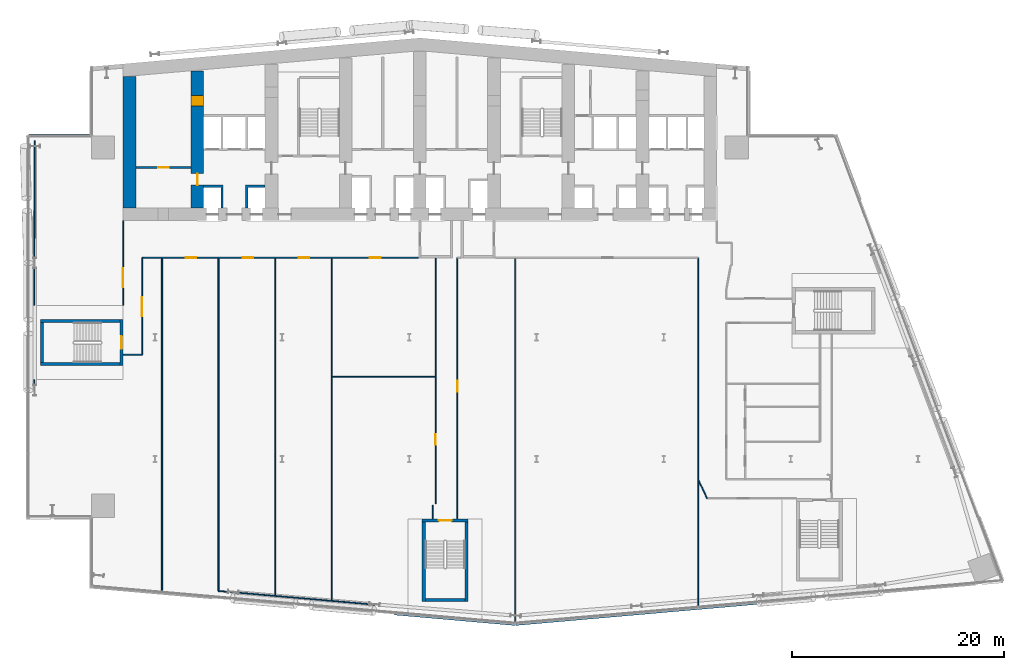
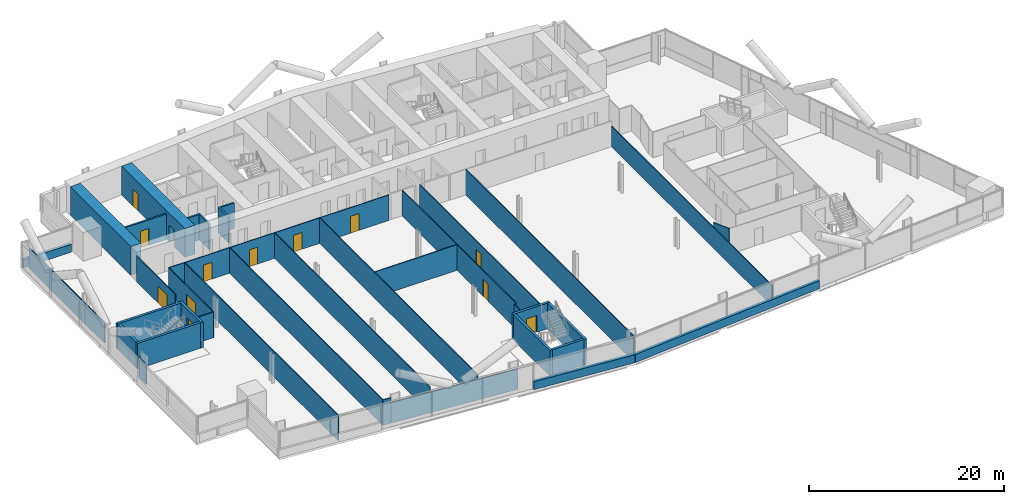
# One storey, part 13 of 25: 36 walls, 13 doors, 13 openings.
"""IFC4 building model written with IfcOpenShell, lengths in metres."""

from ifc_helpers import new_model, si_unit, direction, frame, frame_2d, origin, place, context, subcontext, project, spatial, polyline, rectangle, outline, extrude, material, layer, layer_set, type_object, element, fill, save


model = new_model("IFC4")

# Units and contexts
model_context = context("Model", 3, precision=1e-05, world=origin(), true_north=direction((0.0, 1.0)))
body_context = subcontext(model_context, "Body", "Model", "MODEL_VIEW")
ifc_project = project(units=[si_unit("LENGTHUNIT", "METRE"), si_unit("AREAUNIT", "SQUARE_METRE"), si_unit("VOLUMEUNIT", "CUBIC_METRE"), si_unit("PLANEANGLEUNIT", "RADIAN"), si_unit("MASSUNIT", "GRAM", prefix="KILO")], contexts=[model_context])

# Site, building, storey
site_placement = place(None, origin())
site = spatial("IfcSite", under=ifc_project, at=site_placement, CompositionType="ELEMENT")
building_placement = place(site_placement, origin())
building = spatial("IfcBuilding", under=site, at=building_placement, Name="Wharfspan Tower", CompositionType="ELEMENT")
storey_placement = place(building_placement, frame((0.0, 0.0, 70.300049)))
storey = spatial("IfcBuildingStorey", under=building, at=storey_placement, Name="L14", CompositionType="ELEMENT", Elevation=70.300049)

# Wall, opening, door
ifc_material_1 = material(Name="Gypsum board on steel studs", Category="steel")
ifc_layer_1 = layer(ifc_material_1, 0.100098)
ifc_layer_set_1 = layer_set([ifc_layer_1], Name="Gypsum board on steel studs")
wall_type_1 = type_object("IfcWallType", Name="Compartment wall 100 EI 60", PredefinedType="PARTITIONING", material=ifc_layer_set_1)
wall_1_placement = place(storey_placement, frame((9.0, 26.02002, 0.0), z_axis=(0.0, 0.0, 1.0), x_axis=(0.0, 1.0, 0.0)))
wall_1 = element("IfcWall", 1, at=wall_1_placement, inside=storey, type_object=wall_type_1, Name="Partition L14.w004", PredefinedType="PARTITIONING", context=body_context, shape_type="SweptSolid", body=[
    extrude(rectangle(XDim=7.959961, YDim=0.100098, at=frame_2d((3.97998, 0.0))), origin(), (0.0, 0.0, 1.0), 3.199951),
])
opening_1_placement = place(wall_1_placement, frame((1.699951, 0.0, 0.0)))
opening_1 = element("IfcOpeningElement", 2, at=opening_1_placement, cuts=wall_1, Name="Opening A3-12", PredefinedType="OPENING", context=body_context, shape_type="SweptSolid", body=[
    extrude(rectangle(XDim=1.800049, YDim=2.100098, at=frame_2d((0.899902, 1.050049))), frame((0.0, 0.060059, 0.0), z_axis=(0.0, -1.0, 0.0), x_axis=(1.0, 0.0, 0.0)), (0.0, 0.0, 1.0), 0.120117),
])
ifc_material_2 = material(Name="Fire-rated timber door leaf in steel frame", Category="steel")
door_type_1 = type_object("IfcDoorType", Name="Door 1800 FD30S Double", OperationType="DOUBLE_DOOR_SINGLE_SWING", PredefinedType="DOOR", material=ifc_material_2)
door_1_placement = place(opening_1_placement, origin())
door_1 = element("IfcDoor", 3, at=door_1_placement, inside=storey, type_object=door_type_1, Name="Door A3-12", OperationType="DOUBLE_DOOR_SINGLE_SWING", OverallHeight=2.100098, OverallWidth=1.800049, PredefinedType="DOOR", context=body_context, shape_type="SweptSolid", body=[
    extrude(rectangle(XDim=1.800049, YDim=2.100098, at=frame_2d((0.899902, 1.050049))), frame((0.0, 0.024902, 0.0), z_axis=(0.0, -1.0, 0.0), x_axis=(1.0, 0.0, 0.0)), (0.0, 0.0, 1.0), 0.050049),
])
fill(opening_1, door_1)

# Wall
wall_2_placement = place(storey_placement, frame((9.02002, 21.350098, 0.0), z_axis=(0.0, 0.0, 1.0), x_axis=(1.0, 0.0, 0.0)))
element("IfcWall", 4, at=wall_2_placement, inside=storey, type_object=wall_type_1, Name="Partition L14.w005", PredefinedType="PARTITIONING", context=body_context, shape_type="SweptSolid", body=[
    extrude(rectangle(XDim=1.780029, YDim=0.100098, at=frame_2d((0.890137, 0.0))), origin(), (0.0, 0.0, 1.0), 3.199951),
])

# Wall, opening, door
wall_3_placement = place(storey_placement, frame((10.800049, 21.350098, 0.0), z_axis=(0.0, 0.0, 1.0), x_axis=(0.0, 1.0, 0.0)))
wall_3 = element("IfcWall", 5, at=wall_3_placement, inside=storey, type_object=wall_type_1, Name="Partition L14.w006", PredefinedType="PARTITIONING", context=body_context, shape_type="SweptSolid", body=[
    extrude(rectangle(XDim=9.149902, YDim=0.100098, at=frame_2d((4.574951, 0.0))), origin(), (0.0, 0.0, 1.0), 3.199951),
])
opening_2_placement = place(wall_3_placement, frame((3.620117, 0.0, 0.0)))
opening_2 = element("IfcOpeningElement", 6, at=opening_2_placement, cuts=wall_3, Name="Opening A3-10", PredefinedType="OPENING", context=body_context, shape_type="SweptSolid", body=[
    extrude(rectangle(XDim=1.800049, YDim=2.100098, at=frame_2d((0.899902, 1.050049))), frame((0.0, 0.060059, 0.0), z_axis=(0.0, -1.0, 0.0), x_axis=(1.0, 0.0, 0.0)), (0.0, 0.0, 1.0), 0.120117),
])
door_2_placement = place(opening_2_placement, origin())
door_2 = element("IfcDoor", 7, at=door_2_placement, inside=storey, type_object=door_type_1, Name="Door A3-10", OperationType="DOUBLE_DOOR_SINGLE_SWING", OverallHeight=2.100098, OverallWidth=1.800049, PredefinedType="DOOR", context=body_context, shape_type="SweptSolid", body=[
    extrude(rectangle(XDim=1.800049, YDim=2.100098, at=frame_2d((0.899902, 1.050049))), frame((0.0, 0.024902, 0.0), z_axis=(0.0, -1.0, 0.0), x_axis=(1.0, 0.0, 0.0)), (0.0, 0.0, 1.0), 0.050049),
])
fill(opening_2, door_2)

# Wall, openings, doors
wall_4_placement = place(storey_placement, frame((10.800049, 30.5, 0.0), z_axis=(0.0, 0.0, 1.0), x_axis=(1.0, 0.0, 0.0)))
wall_4 = element("IfcWall", 8, at=wall_4_placement, inside=storey, type_object=wall_type_1, Name="Partition L14.w007", PredefinedType="PARTITIONING", context=body_context, shape_type="SweptSolid", body=[
    extrude(rectangle(XDim=26.050049, YDim=0.100098, at=frame_2d((13.024902, 0.0))), origin(), (0.0, 0.0, 1.0), 3.199951),
])
opening_3_placement = place(wall_4_placement, frame((4.090088, 0.0, 0.0)))
opening_3 = element("IfcOpeningElement", 9, at=opening_3_placement, cuts=wall_4, Name="Opening A3-13", PredefinedType="OPENING", context=body_context, shape_type="SweptSolid", body=[
    extrude(rectangle(XDim=1.0, YDim=2.100098, at=frame_2d((0.5, 1.050049))), frame((0.0, 0.060059, 0.0), z_axis=(0.0, -1.0, 0.0), x_axis=(1.0, 0.0, 0.0)), (0.0, 0.0, 1.0), 0.120117),
])
opening_4_placement = place(wall_4_placement, frame((9.5, 0.0, 0.0)))
opening_4 = element("IfcOpeningElement", 10, at=opening_4_placement, cuts=wall_4, Name="Opening A3-14", PredefinedType="OPENING", context=body_context, shape_type="SweptSolid", body=[
    extrude(rectangle(XDim=1.0, YDim=2.100098, at=frame_2d((0.5, 1.050049))), frame((0.0, 0.060059, 0.0), z_axis=(0.0, -1.0, 0.0), x_axis=(1.0, 0.0, 0.0)), (0.0, 0.0, 1.0), 0.120117),
])
opening_5_placement = place(wall_4_placement, frame((14.754883, 0.0, 0.0)))
opening_5 = element("IfcOpeningElement", 11, at=opening_5_placement, cuts=wall_4, Name="Opening A3-15", PredefinedType="OPENING", context=body_context, shape_type="SweptSolid", body=[
    extrude(rectangle(XDim=1.0, YDim=2.100098, at=frame_2d((0.5, 1.050049))), frame((0.0, 0.060059, 0.0), z_axis=(0.0, -1.0, 0.0), x_axis=(1.0, 0.0, 0.0)), (0.0, 0.0, 1.0), 0.120117),
])
opening_6_placement = place(wall_4_placement, frame((21.48999, 0.0, 0.0)))
opening_6 = element("IfcOpeningElement", 12, at=opening_6_placement, cuts=wall_4, Name="Opening A3-16", PredefinedType="OPENING", context=body_context, shape_type="SweptSolid", body=[
    extrude(rectangle(XDim=1.0, YDim=2.100098, at=frame_2d((0.5, 1.050049))), frame((0.0, 0.060059, 0.0), z_axis=(0.0, -1.0, 0.0), x_axis=(1.0, 0.0, 0.0)), (0.0, 0.0, 1.0), 0.120117),
])
door_type_2 = type_object("IfcDoorType", Name="Door 1000 FD30S Left", OperationType="SINGLE_SWING_LEFT", PredefinedType="DOOR", material=ifc_material_2)
door_3_placement = place(opening_3_placement, origin())
door_3 = element("IfcDoor", 13, at=door_3_placement, inside=storey, type_object=door_type_2, Name="Door A3-13", OperationType="SINGLE_SWING_LEFT", OverallHeight=2.100098, OverallWidth=1.0, PredefinedType="DOOR", context=body_context, shape_type="SweptSolid", body=[
    extrude(rectangle(XDim=1.0, YDim=2.100098, at=frame_2d((0.5, 1.050049))), frame((0.0, 0.024902, 0.0), z_axis=(0.0, -1.0, 0.0), x_axis=(1.0, 0.0, 0.0)), (0.0, 0.0, 1.0), 0.050049),
])
fill(opening_3, door_3)
door_4_placement = place(opening_4_placement, origin())
door_4 = element("IfcDoor", 14, at=door_4_placement, inside=storey, type_object=door_type_2, Name="Door A3-14", OperationType="SINGLE_SWING_LEFT", OverallHeight=2.100098, OverallWidth=1.0, PredefinedType="DOOR", context=body_context, shape_type="SweptSolid", body=[
    extrude(rectangle(XDim=1.0, YDim=2.100098, at=frame_2d((0.5, 1.050049))), frame((0.0, 0.024902, 0.0), z_axis=(0.0, -1.0, 0.0), x_axis=(1.0, 0.0, 0.0)), (0.0, 0.0, 1.0), 0.050049),
])
fill(opening_4, door_4)
door_type_3 = type_object("IfcDoorType", Name="Door 1000 FD30S Right", OperationType="SINGLE_SWING_RIGHT", PredefinedType="DOOR", material=ifc_material_2)
door_5_placement = place(opening_5_placement, origin())
door_5 = element("IfcDoor", 15, at=door_5_placement, inside=storey, type_object=door_type_3, Name="Door A3-15", OperationType="SINGLE_SWING_RIGHT", OverallHeight=2.100098, OverallWidth=1.0, PredefinedType="DOOR", context=body_context, shape_type="SweptSolid", body=[
    extrude(rectangle(XDim=1.0, YDim=2.100098, at=frame_2d((0.5, 1.050049))), frame((0.0, 0.024902, 0.0), z_axis=(0.0, -1.0, 0.0), x_axis=(1.0, 0.0, 0.0)), (0.0, 0.0, 1.0), 0.050049),
])
fill(opening_5, door_5)
door_6_placement = place(opening_6_placement, origin())
door_6 = element("IfcDoor", 16, at=door_6_placement, inside=storey, type_object=door_type_3, Name="Door A3-16", OperationType="SINGLE_SWING_RIGHT", OverallHeight=2.100098, OverallWidth=1.0, PredefinedType="DOOR", context=body_context, shape_type="SweptSolid", body=[
    extrude(rectangle(XDim=1.0, YDim=2.100098, at=frame_2d((0.5, 1.050049))), frame((0.0, 0.024902, 0.0), z_axis=(0.0, -1.0, 0.0), x_axis=(1.0, 0.0, 0.0)), (0.0, 0.0, 1.0), 0.050049),
])
fill(opening_6, door_6)

# Walls
wall_5_placement = place(storey_placement, frame((12.669922, -1.088379, 0.0), z_axis=(0.0, 0.0, 1.0), x_axis=(0.0, 1.0, 0.0)))
element("IfcWall", 17, at=wall_5_placement, inside=storey, type_object=wall_type_1, Name="Partition L14.w008", PredefinedType="PARTITIONING", context=body_context, shape_type="SweptSolid", body=[
    extrude(rectangle(XDim=31.588379, YDim=0.100098, at=frame_2d((15.794189, 0.0))), origin(), (0.0, 0.0, 1.0), 3.199951),
])
wall_6_placement = place(storey_placement, frame((18.0, -0.939941, 0.0), z_axis=(0.0, 0.0, 1.0), x_axis=(0.0, 1.0, 0.0)))
element("IfcWall", 18, at=wall_6_placement, inside=storey, type_object=wall_type_1, Name="Partition L14.w009", PredefinedType="PARTITIONING", context=body_context, shape_type="SweptSolid", body=[
    extrude(rectangle(XDim=31.439941, YDim=0.100098, at=frame_2d((15.719971, 0.0))), origin(), (0.0, 0.0, 1.0), 3.199951),
])
wall_7_placement = place(storey_placement, frame((23.334961, -1.409912, 0.0), z_axis=(0.0, 0.0, 1.0), x_axis=(0.0, 1.0, 0.0)))
element("IfcWall", 19, at=wall_7_placement, inside=storey, type_object=wall_type_1, Name="Partition L14.w011", PredefinedType="PARTITIONING", context=body_context, shape_type="SweptSolid", body=[
    extrude(rectangle(XDim=31.909912, YDim=0.100098, at=frame_2d((15.955078, 0.0))), origin(), (0.0, 0.0, 1.0), 3.199951),
])
wall_8_placement = place(storey_placement, frame((28.669922, -1.875, 0.0), z_axis=(0.0, 0.0, 1.0), x_axis=(0.0, 1.0, 0.0)))
element("IfcWall", 20, at=wall_8_placement, inside=storey, type_object=wall_type_1, Name="Partition L14.w012", PredefinedType="PARTITIONING", context=body_context, shape_type="SweptSolid", body=[
    extrude(rectangle(XDim=32.375, YDim=0.100098, at=frame_2d((16.1875, 0.0))), origin(), (0.0, 0.0, 1.0), 3.199951),
])
wall_9_placement = place(storey_placement, frame((28.669922, 19.284912, 0.0), z_axis=(0.0, 0.0, 1.0), x_axis=(1.0, 0.0, 0.0)))
element("IfcWall", 21, at=wall_9_placement, inside=storey, type_object=wall_type_1, Name="Partition L14.w013", PredefinedType="PARTITIONING", context=body_context, shape_type="SweptSolid", body=[
    extrude(rectangle(XDim=9.810059, YDim=0.100098, at=frame_2d((4.905029, 0.0))), origin(), (0.0, 0.0, 1.0), 3.199951),
])
wall_10_placement = place(storey_placement, frame((38.22998, 5.880615, 0.0), z_axis=(0.0, 0.0, 1.0), x_axis=(0.0, 1.0, 0.0)))
element("IfcWall", 22, at=wall_10_placement, inside=storey, type_object=wall_type_1, Name="Partition L14.w015", PredefinedType="PARTITIONING", context=body_context, shape_type="SweptSolid", body=[
    extrude(rectangle(XDim=1.279297, YDim=0.100098, at=frame_2d((0.639648, 0.0))), origin(), (0.0, 0.0, 1.0), 3.199951),
])

# Wall, opening, door
wall_11_placement = place(storey_placement, frame((38.47998, 7.280029, 0.0), z_axis=(0.0, 0.0, 1.0), x_axis=(0.0, 1.0, 0.0)))
wall_11 = element("IfcWall", 23, at=wall_11_placement, inside=storey, type_object=wall_type_1, Name="Partition L14.w016", PredefinedType="PARTITIONING", context=body_context, shape_type="SweptSolid", body=[
    extrude(rectangle(XDim=23.219971, YDim=0.100098, at=frame_2d((11.609863, 0.0))), origin(), (0.0, 0.0, 1.0), 3.199951),
])
opening_7_placement = place(wall_11_placement, frame((5.580078, 0.0, 0.0)))
opening_7 = element("IfcOpeningElement", 24, at=opening_7_placement, cuts=wall_11, Name="Opening A3-05", PredefinedType="OPENING", context=body_context, shape_type="SweptSolid", body=[
    extrude(rectangle(XDim=1.0, YDim=2.100098, at=frame_2d((0.5, 1.050049))), frame((0.0, 0.060059, 0.0), z_axis=(0.0, -1.0, 0.0), x_axis=(1.0, 0.0, 0.0)), (0.0, 0.0, 1.0), 0.120117),
])
door_7_placement = place(opening_7_placement, origin())
door_7 = element("IfcDoor", 25, at=door_7_placement, inside=storey, type_object=door_type_2, Name="Door A3-05", OperationType="SINGLE_SWING_LEFT", OverallHeight=2.100098, OverallWidth=1.0, PredefinedType="DOOR", context=body_context, shape_type="SweptSolid", body=[
    extrude(rectangle(XDim=1.0, YDim=2.100098, at=frame_2d((0.5, 1.050049))), frame((0.0, 0.024902, 0.0), z_axis=(0.0, -1.0, 0.0), x_axis=(1.0, 0.0, 0.0)), (0.0, 0.0, 1.0), 0.050049),
])
fill(opening_7, door_7)

wall_12_placement = place(storey_placement, frame((40.534912, 5.880615, 0.0), z_axis=(0.0, 0.0, 1.0), x_axis=(0.0, 1.0, 0.0)))
wall_12 = element("IfcWall", 26, at=wall_12_placement, inside=storey, type_object=wall_type_1, Name="Partition L14.w017", PredefinedType="PARTITIONING", context=body_context, shape_type="SweptSolid", body=[
    extrude(rectangle(XDim=24.619385, YDim=0.100098, at=frame_2d((12.30957, 0.0))), origin(), (0.0, 0.0, 1.0), 3.199951),
])
opening_8_placement = place(wall_12_placement, frame((11.999512, 0.0, 0.0)))
opening_8 = element("IfcOpeningElement", 27, at=opening_8_placement, cuts=wall_12, Name="Opening A3-08", PredefinedType="OPENING", context=body_context, shape_type="SweptSolid", body=[
    extrude(rectangle(XDim=1.0, YDim=2.100098, at=frame_2d((0.5, 1.050049))), frame((0.0, 0.060059, 0.0), z_axis=(0.0, -1.0, 0.0), x_axis=(1.0, 0.0, 0.0)), (0.0, 0.0, 1.0), 0.120117),
])
door_8_placement = place(opening_8_placement, origin())
door_8 = element("IfcDoor", 28, at=door_8_placement, inside=storey, type_object=door_type_3, Name="Door A3-08", OperationType="SINGLE_SWING_RIGHT", OverallHeight=2.100098, OverallWidth=1.0, PredefinedType="DOOR", context=body_context, shape_type="SweptSolid", body=[
    extrude(rectangle(XDim=1.0, YDim=2.100098, at=frame_2d((0.5, 1.050049))), frame((0.0, 0.024902, 0.0), z_axis=(0.0, -1.0, 0.0), x_axis=(1.0, 0.0, 0.0)), (0.0, 0.0, 1.0), 0.050049),
])
fill(opening_8, door_8)

# Walls
wall_13_placement = place(storey_placement, frame((46.0, -4.004395, 0.0), z_axis=(0.0, 0.0, 1.0), x_axis=(0.0, 1.0, 0.0)))
element("IfcWall", 29, at=wall_13_placement, inside=storey, type_object=wall_type_1, Name="Partition L14.w019", PredefinedType="PARTITIONING", context=body_context, shape_type="SweptSolid", body=[
    extrude(rectangle(XDim=34.504395, YDim=0.100098, at=frame_2d((17.252197, 0.0))), origin(), (0.0, 0.0, 1.0), 3.199951),
])
wall_14_placement = place(storey_placement, frame((63.25, -2.495117, 0.0), z_axis=(0.0, 0.0, 1.0), x_axis=(0.0, 1.0, 0.0)))
element("IfcWall", 30, at=wall_14_placement, inside=storey, type_object=wall_type_1, Name="Partition L14.w020", PredefinedType="PARTITIONING", context=body_context, shape_type="SweptSolid", body=[
    extrude(rectangle(XDim=32.995117, YDim=0.100098, at=frame_2d((16.497559, 0.0))), origin(), (0.0, 0.0, 1.0), 2.579834),
])
wall_15_placement = place(storey_placement, frame((64.100098, 7.790039, 0.0), z_axis=(0.0, 0.0, 1.0), x_axis=(-0.428035, 0.903766, 0.0)))
element("IfcWall", 31, at=wall_15_placement, inside=storey, type_object=wall_type_1, Name="Partition L14.w022", PredefinedType="PARTITIONING", context=body_context, shape_type="SweptSolid", body=[
    extrude(rectangle(XDim=1.986084, YDim=0.100098, at=frame_2d((0.993164, 0.0))), origin(), (0.0, 0.0, 1.0), 3.199951),
])

# Wall, opening, door
ifc_material_3 = material(Name="Calcium silicate masonry", Category="masonry")
ifc_layer_2 = layer(ifc_material_3, 0.199951)
ifc_layer_set_2 = layer_set([ifc_layer_2], Name="Calcium silicate masonry")
wall_type_2 = type_object("IfcWallType", Name="Core room wall 200", PredefinedType="PARTITIONING", material=ifc_layer_set_2)
wall_16_placement = place(storey_placement, frame((10.199951, 39.0, 0.0), z_axis=(0.0, 0.0, 1.0), x_axis=(1.0, 0.0, 0.0)))
wall_16 = element("IfcWall", 32, at=wall_16_placement, inside=storey, type_object=wall_type_2, Name="sw:L14:RM0", PredefinedType="PARTITIONING", context=body_context, shape_type="SweptSolid", body=[
    extrude(rectangle(XDim=5.199951, YDim=0.199951, at=frame_2d((2.600098, 0.0))), origin(), (0.0, 0.0, 1.0), 3.199951),
])
opening_9_placement = place(wall_16_placement, frame((2.100098, 0.0, 0.0)))
opening_9 = element("IfcOpeningElement", 33, at=opening_9_placement, cuts=wall_16, Name="Opening CD14.02", PredefinedType="OPENING", context=body_context, shape_type="SweptSolid", body=[
    extrude(rectangle(XDim=1.0, YDim=2.100098, at=frame_2d((0.5, 1.050049))), frame((0.0, 0.109863, 0.0), z_axis=(0.0, -1.0, 0.0), x_axis=(1.0, 0.0, 0.0)), (0.0, 0.0, 1.0), 0.219971),
])
ifc_material_4 = material(Name="Steel door leaf", Category="steel")
door_type_4 = type_object("IfcDoorType", Name="Core room door 1000x2100", OperationType="SINGLE_SWING_LEFT", PredefinedType="DOOR", material=ifc_material_4)
door_9_placement = place(opening_9_placement, origin())
door_9 = element("IfcDoor", 34, at=door_9_placement, inside=storey, type_object=door_type_4, Name="d:L14:0:rr", OperationType="SINGLE_SWING_RIGHT", OverallHeight=2.100098, OverallWidth=1.0, PredefinedType="DOOR", context=body_context, shape_type="SweptSolid", body=[
    extrude(rectangle(XDim=1.0, YDim=2.100098, at=frame_2d((0.5, 1.050049))), frame((0.0, 0.024902, 0.0), z_axis=(0.0, -1.0, 0.0), x_axis=(1.0, 0.0, 0.0)), (0.0, 0.0, 1.0), 0.050049),
])
fill(opening_9, door_9)

# Wall
ifc_material_5 = material(Name="Concrete C70/85", Category="concrete")
ifc_layer_3 = layer(ifc_material_5, 1.199951)
ifc_layer_set_3 = layer_set([ifc_layer_3], Name="Concrete C70/85")
wall_type_3 = type_object("IfcWallType", Name="Core wall 1200 C70/85", PredefinedType="SHEAR", material=ifc_layer_set_3)
wall_17_placement = place(storey_placement, frame((9.600098, 35.199951, 0.0), z_axis=(0.0, 0.0, 1.0), x_axis=(0.0, 1.0, 0.0)))
element("IfcWall", 35, at=wall_17_placement, inside=storey, type_object=wall_type_3, Name="Core cross wall EW0 L14", PredefinedType="SHEAR", context=body_context, shape_type="SweptSolid", body=[
    extrude(rectangle(XDim=12.382812, YDim=1.199951, at=frame_2d((6.191406, 0.0))), origin(), (0.0, 0.0, 1.0), 3.599854),
])

# Wall, openings, doors
wall_18_placement = place(storey_placement, frame((16.0, 35.199951, 0.0), z_axis=(0.0, 0.0, 1.0), x_axis=(0.0, 1.0, 0.0)))
wall_18 = element("IfcWall", 36, at=wall_18_placement, inside=storey, type_object=wall_type_3, Name="Core cross wall X1 L14", PredefinedType="SHEAR", context=body_context, shape_type="SweptSolid", body=[
    extrude(rectangle(XDim=12.942871, YDim=1.199951, at=frame_2d((6.471436, 0.0))), origin(), (0.0, 0.0, 1.0), 3.599854),
])
opening_10_placement = place(wall_18_placement, frame((2.149902, 0.0, 0.0)))
opening_10 = element("IfcOpeningElement", 37, at=opening_10_placement, cuts=wall_18, Name="Opening CC14.1", PredefinedType="OPENING", context=body_context, shape_type="SweptSolid", body=[
    extrude(rectangle(XDim=1.100098, YDim=2.100098, at=frame_2d((0.550049, 1.050049))), frame((0.0, 0.609863, 0.0), z_axis=(0.0, -1.0, 0.0), x_axis=(1.0, 0.0, 0.0)), (0.0, 0.0, 1.0), 1.219971),
])
opening_11_placement = place(wall_18_placement, frame((9.600098, 0.0, 0.0)))
opening_11 = element("IfcOpeningElement", 38, at=opening_11_placement, cuts=wall_18, Name="Opening CR14.1", PredefinedType="OPENING", context=body_context, shape_type="SweptSolid", body=[
    extrude(rectangle(XDim=1.0, YDim=2.100098, at=frame_2d((0.5, 1.050049))), frame((0.0, 0.609863, 0.0), z_axis=(0.0, -1.0, 0.0), x_axis=(1.0, 0.0, 0.0)), (0.0, 0.0, 1.0), 1.219971),
])
door_type_5 = type_object("IfcDoorType", Name="Core corridor door 1100x2100", OperationType="SINGLE_SWING_LEFT", PredefinedType="DOOR", material=ifc_material_4)
door_10_placement = place(opening_10_placement, origin())
door_10 = element("IfcDoor", 39, at=door_10_placement, inside=storey, type_object=door_type_5, Name="xd:L14:1", OperationType="SINGLE_SWING_LEFT", OverallHeight=2.100098, OverallWidth=1.100098, PredefinedType="DOOR", context=body_context, shape_type="SweptSolid", body=[
    extrude(rectangle(XDim=1.100098, YDim=2.100098, at=frame_2d((0.550049, 1.050049))), frame((0.0, 0.024902, 0.0), z_axis=(0.0, -1.0, 0.0), x_axis=(1.0, 0.0, 0.0)), (0.0, 0.0, 1.0), 0.050049),
])
fill(opening_10, door_10)
door_11_placement = place(opening_11_placement, origin())
door_11 = element("IfcDoor", 40, at=door_11_placement, inside=storey, type_object=door_type_4, Name="xr:L14:1", OperationType="SINGLE_SWING_RIGHT", OverallHeight=2.100098, OverallWidth=1.0, PredefinedType="DOOR", context=body_context, shape_type="SweptSolid", body=[
    extrude(rectangle(XDim=1.0, YDim=2.100098, at=frame_2d((0.5, 1.050049))), frame((0.0, 0.599609, 0.0), z_axis=(0.0, -1.0, 0.0), x_axis=(1.0, 0.0, 0.0)), (0.0, 0.0, 1.0), 1.199463),
])
fill(opening_11, door_11)

# Walls
ifc_material_6 = material(Name="Concrete C30/37", Category="concrete")
ifc_layer_4 = layer(ifc_material_6, 0.199951)
ifc_layer_set_4 = layer_set([ifc_layer_4], Name="Concrete C30/37")
wall_type_4 = type_object("IfcWallType", Name="Lift shaft wall 200", PredefinedType="PARTITIONING", material=ifc_layer_set_4)
wall_19_placement = place(storey_placement, frame((0.0, 0.0, -0.000244)))
element("IfcWall", 41, at=wall_19_placement, inside=storey, type_object=wall_type_4, Name="sw:L14:FM1.0", PredefinedType="PARTITIONING", context=body_context, shape_type="SweptSolid", body=[
    extrude(outline(polyline([(18.233398, 37.149902), (16.600098, 37.149902), (16.600098, 37.350098), (18.233398, 37.350098), (18.43335, 37.350098), (18.43335, 35.199951), (18.233398, 35.199951), (18.233398, 37.149902)])), origin(), (0.0, 0.0, 1.0), 3.200195),
])
wall_20_placement = place(storey_placement, frame((0.0, 0.0, -0.000244)))
element("IfcWall", 42, at=wall_20_placement, inside=storey, type_object=wall_type_4, Name="sw:L14:FM1.1", PredefinedType="PARTITIONING", context=body_context, shape_type="SweptSolid", body=[
    extrude(outline(polyline([(20.56665, 37.350098), (20.766602, 37.350098), (22.399902, 37.350098), (22.399902, 37.149902), (20.766602, 37.149902), (20.766602, 35.199951), (20.56665, 35.199951), (20.56665, 37.350098)])), origin(), (0.0, 0.0, 1.0), 3.200195),
])
ifc_layer_5 = layer(ifc_material_1, 0.100098)
ifc_layer_set_5 = layer_set([ifc_layer_5], Name="Gypsum board on steel studs")
wall_type_5 = type_object("IfcWallType", Name="Partition 100", PredefinedType="PARTITIONING", material=ifc_layer_set_5)
wall_21_placement = place(storey_placement, frame((0.629883, 17.5, 0.0), z_axis=(0.0, 0.0, 1.0), x_axis=(0.0, 1.0, 0.0)))
element("IfcWall", 43, at=wall_21_placement, inside=storey, type_object=wall_type_5, Name="Partition L14.w001", PredefinedType="PARTITIONING", context=body_context, shape_type="SweptSolid", body=[
    extrude(rectangle(XDim=1.47998, YDim=0.100098, at=frame_2d((0.73999, 0.0))), origin(), (0.0, 0.0, 1.0), 2.579834),
])
wall_22_placement = place(storey_placement, frame((0.629883, 26.02002, 0.0), z_axis=(0.0, 0.0, 1.0), x_axis=(0.0, 1.0, 0.0)))
element("IfcWall", 44, at=wall_22_placement, inside=storey, type_object=wall_type_5, Name="Partition L14.w002", PredefinedType="PARTITIONING", context=body_context, shape_type="SweptSolid", body=[
    extrude(rectangle(XDim=3.97998, YDim=0.100098, at=frame_2d((1.98999, 0.0))), origin(), (0.0, 0.0, 1.0), 2.579834),
])
wall_23_placement = place(storey_placement, frame((0.629883, 30.0, 0.0), z_axis=(0.0, 0.0, 1.0), x_axis=(0.00218, 0.999994, 0.0)))
element("IfcWall", 45, at=wall_23_placement, inside=storey, type_object=wall_type_5, Name="Partition L14.w003", PredefinedType="PARTITIONING", context=body_context, shape_type="SweptSolid", body=[
    extrude(rectangle(XDim=11.534912, YDim=0.100098, at=frame_2d((5.767578, 0.0))), origin(), (0.0, 0.0, 1.0), 2.579834),
])
wall_24_placement = place(storey_placement, frame((18.889893, -1.02002, 0.0), z_axis=(0.0, 0.0, 1.0), x_axis=(-0.996474, 0.083928, 0.0)))
element("IfcWall", 46, at=wall_24_placement, inside=storey, type_object=wall_type_5, Name="Partition L14.w010", PredefinedType="PARTITIONING", context=body_context, shape_type="SweptSolid", body=[
    extrude(rectangle(XDim=0.893066, YDim=0.100098, at=frame_2d((0.446533, 0.0))), origin(), (0.0, 0.0, 1.0), 3.199951),
])
wall_25_placement = place(storey_placement, frame((33.219971, -2.274902, 0.0), z_axis=(0.0, 0.0, 1.0), x_axis=(-0.99616, 0.087559, 0.0)))
element("IfcWall", 47, at=wall_25_placement, inside=storey, type_object=wall_type_5, Name="Partition L14.w014", PredefinedType="PARTITIONING", context=body_context, shape_type="SweptSolid", body=[
    extrude(rectangle(XDim=14.384766, YDim=0.100098, at=frame_2d((7.192383, 0.0))), origin(), (0.0, 0.0, 1.0), 2.579834),
])
ifc_material_7 = material(Name="Concrete C40/50", Category="concrete")
ifc_layer_6 = layer(ifc_material_7, 0.350098)
ifc_layer_set_6 = layer_set([ifc_layer_6], Name="Concrete C40/50")
wall_type_6 = type_object("IfcWallType", Name="SPANDREL EXPOSED CONCRETE 350", PredefinedType="SOLIDWALL", material=ifc_layer_set_6)
wall_26_placement = place(storey_placement, frame((34.60083, -3.032227, 0.0), z_axis=(0.0, 0.0, 1.0), x_axis=(0.996193, -0.087148, 0.0)))
element("IfcWall", 48, at=wall_26_placement, inside=storey, type_object=wall_type_6, Name="Spandrel upstand L14 S1 2", PredefinedType="SOLIDWALL", context=body_context, shape_type="SweptSolid", body=[
    extrude(rectangle(XDim=11.458008, YDim=0.350098, at=frame_2d((5.729004, 0.0))), origin(), (0.0, 0.0, 1.0), 1.0),
])
wall_27_placement = place(storey_placement, frame((46.04541, -4.025635, 0.0), z_axis=(0.0, 0.0, 1.0), x_axis=(0.99619, 0.087163, 0.0)))
element("IfcWall", 49, at=wall_27_placement, inside=storey, type_object=wall_type_6, Name="Spandrel upstand L14 S2 1", PredefinedType="SOLIDWALL", context=body_context, shape_type="SweptSolid", body=[
    extrude(rectangle(XDim=23.012695, YDim=0.350098, at=frame_2d((11.506348, 0.0))), origin(), (0.0, 0.0, 1.0), 1.0),
])
wall_28_placement = place(storey_placement, frame((5.820068, 42.004883, 0.0), z_axis=(0.0, 0.0, 1.0), x_axis=(-1.0, 0.0, 0.0)))
element("IfcWall", 50, at=wall_28_placement, inside=storey, type_object=wall_type_6, Name="Spandrel upstand L14 NRW-H", PredefinedType="SOLIDWALL", context=body_context, shape_type="SweptSolid", body=[
    extrude(rectangle(XDim=5.699951, YDim=0.350098, at=frame_2d((2.850098, 0.0))), origin(), (0.0, 0.0, 1.0), 1.0),
])

# Wall, opening, door
ifc_layer_7 = layer(ifc_material_7, 0.300049)
ifc_layer_set_7 = layer_set([ifc_layer_7], Name="Concrete C40/50")
wall_type_7 = type_object("IfcWallType", Name="Stair core wall 300", PredefinedType="SHEAR", material=ifc_layer_set_7)
wall_29_placement = place(storey_placement, frame((8.850098, 20.324951, 0.0), z_axis=(0.0, 0.0, 1.0), x_axis=(0.0, 1.0, 0.0)))
wall_29 = element("IfcWall", 51, at=wall_29_placement, inside=storey, type_object=wall_type_7, Name="ST3 stair enclosure wall L14", PredefinedType="SHEAR", context=body_context, shape_type="SweptSolid", body=[
    extrude(rectangle(XDim=4.350098, YDim=0.300049, at=frame_2d((2.175049, 0.0))), origin(), (0.0, 0.0, 1.0), 3.199951),
])
opening_12_placement = place(wall_29_placement, frame((1.574951, 0.0, 0.0)))
opening_12 = element("IfcOpeningElement", 52, at=opening_12_placement, cuts=wall_29, Name="Opening SD3.L14", PredefinedType="OPENING", context=body_context, shape_type="SweptSolid", body=[
    extrude(rectangle(XDim=1.199951, YDim=2.100098, at=frame_2d((0.600098, 1.050049))), frame((0.0, 0.159912, 0.0), z_axis=(0.0, -1.0, 0.0), x_axis=(1.0, 0.0, 0.0)), (0.0, 0.0, 1.0), 0.320068),
])
door_type_6 = type_object("IfcDoorType", Name="Stair door 1200x2100", OperationType="SINGLE_SWING_LEFT", PredefinedType="DOOR", material=ifc_material_4)
door_12_placement = place(opening_12_placement, origin())
door_12 = element("IfcDoor", 53, at=door_12_placement, inside=storey, type_object=door_type_6, Name="sd:L14:ST3z1", OperationType="SINGLE_SWING_RIGHT", OverallHeight=2.100098, OverallWidth=1.199951, PredefinedType="DOOR", context=body_context, shape_type="SweptSolid", body=[
    extrude(rectangle(XDim=1.199951, YDim=2.100098, at=frame_2d((0.600098, 1.050049))), frame((0.0, 0.024902, 0.0), z_axis=(0.0, -1.0, 0.0), x_axis=(1.0, 0.0, 0.0)), (0.0, 0.0, 1.0), 0.050049),
])
fill(opening_12, door_12)

wall_30_placement = place(storey_placement, frame((37.208252, 5.710693, 0.0), z_axis=(0.0, 0.0, 1.0), x_axis=(1.0, 0.0, 0.0)))
wall_30 = element("IfcWall", 54, at=wall_30_placement, inside=storey, type_object=wall_type_7, Name="ST4 stair enclosure wall L14", PredefinedType="SHEAR", context=body_context, shape_type="SweptSolid", body=[
    extrude(rectangle(XDim=4.350098, YDim=0.300049, at=frame_2d((2.175049, 0.0))), origin(), (0.0, 0.0, 1.0), 3.199951),
])
opening_13_placement = place(wall_30_placement, frame((1.574951, 0.0, 0.0)))
opening_13 = element("IfcOpeningElement", 55, at=opening_13_placement, cuts=wall_30, Name="Opening SD4.L14", PredefinedType="OPENING", context=body_context, shape_type="SweptSolid", body=[
    extrude(rectangle(XDim=1.199951, YDim=2.100098, at=frame_2d((0.600098, 1.050049))), frame((0.0, 0.159912, 0.0), z_axis=(0.0, -1.0, 0.0), x_axis=(1.0, 0.0, 0.0)), (0.0, 0.0, 1.0), 0.320068),
])
door_13_placement = place(opening_13_placement, origin())
door_13 = element("IfcDoor", 56, at=door_13_placement, inside=storey, type_object=door_type_6, Name="sd:L14:ST4z1", OperationType="SINGLE_SWING_RIGHT", OverallHeight=2.100098, OverallWidth=1.199951, PredefinedType="DOOR", context=body_context, shape_type="SweptSolid", body=[
    extrude(rectangle(XDim=1.199951, YDim=2.100098, at=frame_2d((0.600098, 1.050049))), frame((0.0, 0.024902, 0.0), z_axis=(0.0, -1.0, 0.0), x_axis=(1.0, 0.0, 0.0)), (0.0, 0.0, 1.0), 0.050049),
])
fill(opening_13, door_13)

# Walls
for number, where, z_axis, x_axis, name in (
    (57, (1.199951, 20.475098, 0.0), (0.0, 0.0, 1.0), (1.0, 0.0, 0.0), "ST3 stair enclosure wall L14"),
    (58, (1.199951, 24.524902, 0.0), (0.0, 0.0, 1.0), (1.0, 0.0, 0.0), "ST3 stair enclosure wall L14"),
):
    element("IfcWall", number, at=place(storey_placement, frame(where, z_axis=z_axis, x_axis=x_axis)), inside=storey, type_object=wall_type_7, Name=name, PredefinedType="SHEAR", context=body_context, shape_type="SweptSolid", body=[
        extrude(rectangle(XDim=7.5, YDim=0.300049, at=frame_2d((3.75, 0.0))), origin(), (0.0, 0.0, 1.0), 3.199951),
    ])
wall_31_placement = place(storey_placement, frame((1.350098, 20.625, 0.0), z_axis=(0.0, 0.0, 1.0), x_axis=(0.0, 1.0, 0.0)))
element("IfcWall", 59, at=wall_31_placement, inside=storey, type_object=wall_type_7, Name="ST3 stair enclosure wall L14", PredefinedType="SHEAR", context=body_context, shape_type="SweptSolid", body=[
    extrude(rectangle(XDim=3.75, YDim=0.300049, at=frame_2d((1.875, 0.0))), origin(), (0.0, 0.0, 1.0), 3.199951),
])
for number, where, z_axis, x_axis, name in (
    (60, (37.358398, -1.939453, 0.0), (0.0, 0.0, 1.0), (0.0, 1.0, 0.0), "ST4 stair enclosure wall L14"),
    (61, (41.408203, -1.939453, 0.0), (0.0, 0.0, 1.0), (0.0, 1.0, 0.0), "ST4 stair enclosure wall L14"),
):
    element("IfcWall", number, at=place(storey_placement, frame(where, z_axis=z_axis, x_axis=x_axis)), inside=storey, type_object=wall_type_7, Name=name, PredefinedType="SHEAR", context=body_context, shape_type="SweptSolid", body=[
        extrude(rectangle(XDim=7.5, YDim=0.300049, at=frame_2d((3.75, 0.0))), origin(), (0.0, 0.0, 1.0), 3.199951),
    ])
wall_32_placement = place(storey_placement, frame((37.508301, -1.789307, 0.0), z_axis=(0.0, 0.0, 1.0), x_axis=(1.0, 0.0, 0.0)))
element("IfcWall", 62, at=wall_32_placement, inside=storey, type_object=wall_type_7, Name="ST4 stair enclosure wall L14", PredefinedType="SHEAR", context=body_context, shape_type="SweptSolid", body=[
    extrude(rectangle(XDim=3.75, YDim=0.300049, at=frame_2d((1.875, 0.0))), origin(), (0.0, 0.0, 1.0), 3.199951),
])

save(model, "model.ifc")
